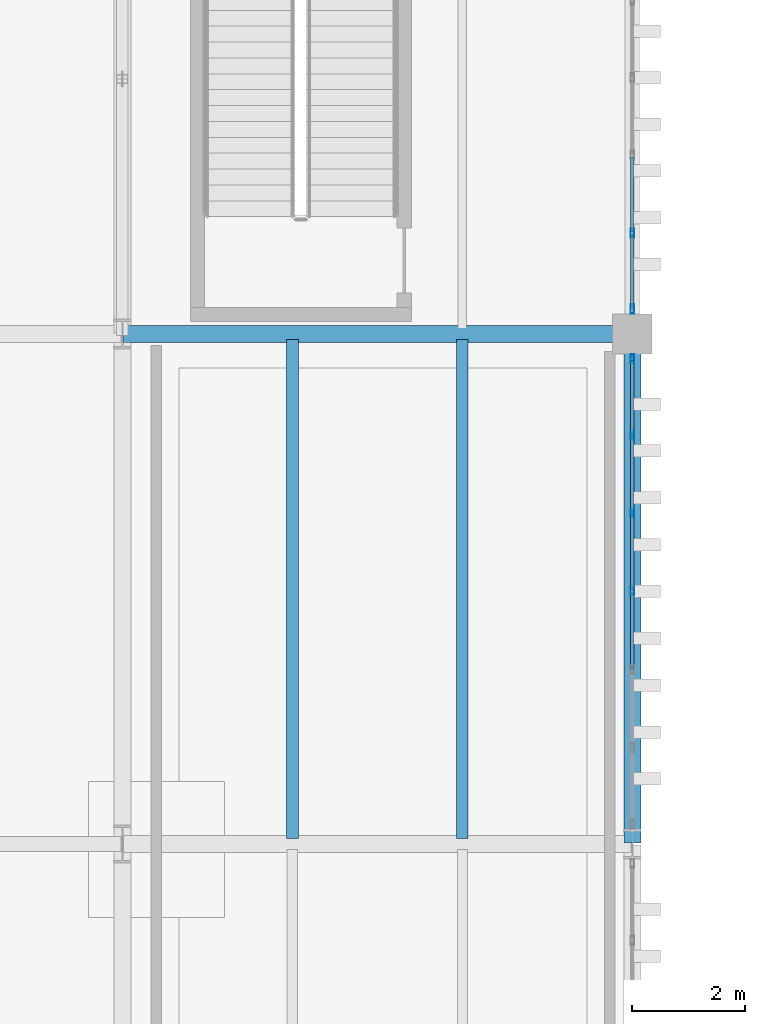
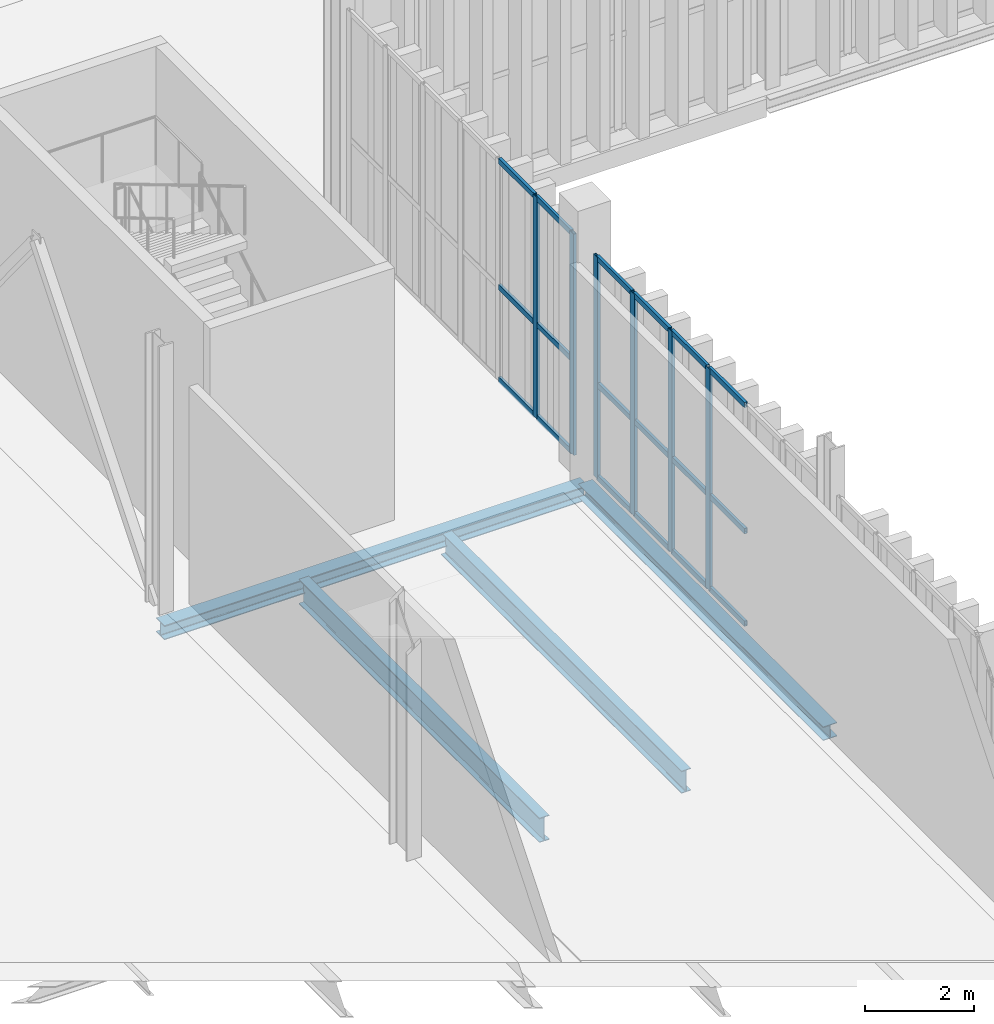
# One storey, part 109 of 211: 24 members, 4 beams, 2 elements without a shape of their own.
"""IFC4 building model written with IfcOpenShell, lengths in metres."""

from ifc_helpers import new_model, si_unit, direction, frame, origin, origin_2d, place, context, subcontext, project, spatial, hollow_rectangle, i_section, extrude, material, layer, layer_set, material_profile, profile_set, type_object, element, aggregate, save


model = new_model("IFC4")

# Units and contexts
model_context = context("Model", 3, precision=1e-05, world=origin(), true_north=direction((0.0, 1.0)))
body_context = subcontext(model_context, "Body", "Model", "MODEL_VIEW")
ifc_project = project(units=[si_unit("LENGTHUNIT", "METRE"), si_unit("AREAUNIT", "SQUARE_METRE"), si_unit("VOLUMEUNIT", "CUBIC_METRE"), si_unit("PLANEANGLEUNIT", "RADIAN"), si_unit("MASSUNIT", "GRAM", prefix="KILO")], contexts=[model_context])

# Site, building, storey
site_placement = place(None, origin())
site = spatial("IfcSite", under=ifc_project, at=site_placement, CompositionType="ELEMENT")
building_placement = place(site_placement, origin())
building = spatial("IfcBuilding", under=site, at=building_placement, Name="Barlavento Convention Centre", CompositionType="ELEMENT")
storey_placement = place(building_placement, frame((0.0, 0.0, 6.0)))
storey = spatial("IfcBuildingStorey", under=building, at=storey_placement, Name="L01", CompositionType="ELEMENT", Elevation=6.0)

# Curtain wall, members
ifc_material_1 = material(Name="Powder-coated aluminium and Low-E glass", Category="aluminium")
ifc_layer = layer(ifc_material_1, 0.195068359375)
ifc_layer_set = layer_set([ifc_layer], Name="ARC-CW-PATIO-A")
curtain_wall_type = type_object("IfcCurtainWallType", Name="ARC-CW-PATIO-A", PredefinedType="NOTDEFINED", material=ifc_layer_set)
curtain_wall_1_placement = place(storey_placement, origin())
curtain_wall_1 = element("IfcCurtainWall", 1, at=curtain_wall_1_placement, inside=storey, type_object=curtain_wall_type, Name="L01 unitised curtain wall CW11", PredefinedType="NOTDEFINED")
ifc_material_2 = material(Name="Powder-coated aluminium", Category="aluminium")
ifc_material_profile_1 = material_profile(ifc_material_2, hollow_rectangle(XDim=0.06005859375, YDim=0.159912109375, WallThickness=0.00390625, at=origin_2d()), Name="AL-MULL 60x160x4")
ifc_profile_set_1 = profile_set([ifc_material_profile_1], Name="Powder-coated aluminium")
member_type_1 = type_object("IfcMemberType", Name="ARC-CWM-60X160", PredefinedType="MULLION", material=ifc_profile_set_1)
member_1_placement = place(storey_placement, frame((135.0, 76.4560546875, 0.0), z_axis=(0.0, 0.0, 1.0), x_axis=(-1.0, 0.0, 0.0)))
member_1 = element("IfcMember", 2, at=member_1_placement, type_object=member_type_1, Name="CW11 mullion 4", PredefinedType="MULLION", context=body_context, shape_type="SweptSolid", body=[
    extrude(hollow_rectangle(XDim=0.06005859375, YDim=0.159912109375, WallThickness=0.00390625, at=origin_2d()), origin(), (0.0, 0.0, 1.0), 4.949951171875),
])
member_2_placement = place(storey_placement, frame((135.0, 77.833984375, 0.0), z_axis=(0.0, 0.0, 1.0), x_axis=(-1.0, 0.0, 0.0)))
member_2 = element("IfcMember", 3, at=member_2_placement, type_object=member_type_1, Name="CW11 mullion 5", PredefinedType="MULLION", context=body_context, shape_type="SweptSolid", body=[
    extrude(hollow_rectangle(XDim=0.06005859375, YDim=0.159912109375, WallThickness=0.00390625, at=origin_2d()), origin(), (0.0, 0.0, 1.0), 4.949951171875),
])
member_3_placement = place(storey_placement, frame((135.0, 79.2119140625, 0.0), z_axis=(0.0, 0.0, 1.0), x_axis=(-1.0, 0.0, 0.0)))
member_3 = element("IfcMember", 4, at=member_3_placement, type_object=member_type_1, Name="CW11 mullion 6", PredefinedType="MULLION", context=body_context, shape_type="SweptSolid", body=[
    extrude(hollow_rectangle(XDim=0.06005859375, YDim=0.159912109375, WallThickness=0.00390625, at=origin_2d()), origin(), (0.0, 0.0, 1.0), 4.949951171875),
])
member_4_placement = place(storey_placement, frame((135.0, 80.56005859375, 0.0), z_axis=(0.0, 0.0, 1.0), x_axis=(-1.0, 0.0, 0.0)))
member_4 = element("IfcMember", 5, at=member_4_placement, type_object=member_type_1, Name="CW11 mullion 7", PredefinedType="MULLION", context=body_context, shape_type="SweptSolid", body=[
    extrude(hollow_rectangle(XDim=0.06005859375, YDim=0.159912109375, WallThickness=0.00390625, at=origin_2d()), origin(), (0.0, 0.0, 1.0), 4.949951171875),
])

curtain_wall_2_placement = place(storey_placement, origin())
curtain_wall_2 = element("IfcCurtainWall", 6, at=curtain_wall_2_placement, inside=storey, type_object=curtain_wall_type, Name="L01 unitised curtain wall CW11", PredefinedType="NOTDEFINED")
member_5_placement = place(storey_placement, frame((135.0, 81.43994140625, 0.0), z_axis=(0.0, 0.0, 1.0), x_axis=(-1.0, 0.0, 0.0)))
member_5 = element("IfcMember", 7, at=member_5_placement, type_object=member_type_1, Name="CW11 mullion 1", PredefinedType="MULLION", context=body_context, shape_type="SweptSolid", body=[
    extrude(hollow_rectangle(XDim=0.06005859375, YDim=0.159912109375, WallThickness=0.00390625, at=origin_2d()), origin(), (0.0, 0.0, 1.0), 4.949951171875),
])
member_6_placement = place(storey_placement, frame((135.0, 82.780029296875, 0.0), z_axis=(0.0, 0.0, 1.0), x_axis=(-1.0, 0.0, 0.0)))
member_6 = element("IfcMember", 8, at=member_6_placement, type_object=member_type_1, Name="CW11 mullion 2", PredefinedType="MULLION", context=body_context, shape_type="SweptSolid", body=[
    extrude(hollow_rectangle(XDim=0.06005859375, YDim=0.159912109375, WallThickness=0.00390625, at=origin_2d()), origin(), (0.0, 0.0, 1.0), 4.949951171875),
])

# Member
ifc_material_profile_2 = material_profile(ifc_material_2, hollow_rectangle(XDim=0.06005859375, YDim=0.1201171875, WallThickness=0.00390625, at=origin_2d()), Name="AL-TRAN 60x120x4")
ifc_profile_set_2 = profile_set([ifc_material_profile_2], Name="Powder-coated aluminium")
member_type_2 = type_object("IfcMemberType", Name="ARC-CWT-60X120", PredefinedType="USERDEFINED", material=ifc_profile_set_2)
member_7_placement = place(storey_placement, frame((135.0, 75.10791015625, 0.030029296875), z_axis=(0.0, 1.0, 0.0), x_axis=(-1.0, 0.0, 0.0)))
member_7 = element("IfcMember", 9, at=member_7_placement, type_object=member_type_2, Name="CW11 transom 3.1", ObjectType="TRANSOM", PredefinedType="USERDEFINED", context=body_context, shape_type="SweptSolid", body=[
    extrude(hollow_rectangle(XDim=0.06005859375, YDim=0.1201171875, WallThickness=0.00390625, at=origin_2d()), origin(), (0.0, 0.0, 1.0), 1.318115234375),
])

member_8_placement = place(storey_placement, frame((135.0, 75.10791015625, 2.10009765625), z_axis=(0.0, 1.0, 0.0), x_axis=(-1.0, 0.0, 0.0)))
member_8 = element("IfcMember", 10, at=member_8_placement, type_object=member_type_2, Name="CW11 transom 3.2", ObjectType="TRANSOM", PredefinedType="USERDEFINED", context=body_context, shape_type="SweptSolid", body=[
    extrude(hollow_rectangle(XDim=0.06005859375, YDim=0.1201171875, WallThickness=0.00390625, at=origin_2d()), origin(), (0.0, 0.0, 1.0), 1.318115234375),
])

member_9_placement = place(storey_placement, frame((135.0, 75.10791015625, 4.919921875), z_axis=(0.0, 1.0, 0.0), x_axis=(-1.0, 0.0, 0.0)))
member_9 = element("IfcMember", 11, at=member_9_placement, type_object=member_type_2, Name="CW11 transom 3.3", ObjectType="TRANSOM", PredefinedType="USERDEFINED", context=body_context, shape_type="SweptSolid", body=[
    extrude(hollow_rectangle(XDim=0.06005859375, YDim=0.1201171875, WallThickness=0.00390625, at=origin_2d()), origin(), (0.0, 0.0, 1.0), 1.318115234375),
])

member_10_placement = place(storey_placement, frame((135.0, 76.486083984375, 0.030029296875), z_axis=(0.0, 1.0, 0.0), x_axis=(-1.0, 0.0, 0.0)))
member_10 = element("IfcMember", 12, at=member_10_placement, type_object=member_type_2, Name="CW11 transom 4.1", ObjectType="TRANSOM", PredefinedType="USERDEFINED", context=body_context, shape_type="SweptSolid", body=[
    extrude(hollow_rectangle(XDim=0.06005859375, YDim=0.1201171875, WallThickness=0.00390625, at=origin_2d()), origin(), (0.0, 0.0, 1.0), 1.31787109375),
])

member_11_placement = place(storey_placement, frame((135.0, 76.486083984375, 2.10009765625), z_axis=(0.0, 1.0, 0.0), x_axis=(-1.0, 0.0, 0.0)))
member_11 = element("IfcMember", 13, at=member_11_placement, type_object=member_type_2, Name="CW11 transom 4.2", ObjectType="TRANSOM", PredefinedType="USERDEFINED", context=body_context, shape_type="SweptSolid", body=[
    extrude(hollow_rectangle(XDim=0.06005859375, YDim=0.1201171875, WallThickness=0.00390625, at=origin_2d()), origin(), (0.0, 0.0, 1.0), 1.31787109375),
])

member_12_placement = place(storey_placement, frame((135.0, 76.486083984375, 4.919921875), z_axis=(0.0, 1.0, 0.0), x_axis=(-1.0, 0.0, 0.0)))
member_12 = element("IfcMember", 14, at=member_12_placement, type_object=member_type_2, Name="CW11 transom 4.3", ObjectType="TRANSOM", PredefinedType="USERDEFINED", context=body_context, shape_type="SweptSolid", body=[
    extrude(hollow_rectangle(XDim=0.06005859375, YDim=0.1201171875, WallThickness=0.00390625, at=origin_2d()), origin(), (0.0, 0.0, 1.0), 1.31787109375),
])

member_13_placement = place(storey_placement, frame((135.0, 77.864013671875, 0.030029296875), z_axis=(0.0, 1.0, 0.0), x_axis=(-1.0, 0.0, 0.0)))
member_13 = element("IfcMember", 15, at=member_13_placement, type_object=member_type_2, Name="CW11 transom 5.1", ObjectType="TRANSOM", PredefinedType="USERDEFINED", context=body_context, shape_type="SweptSolid", body=[
    extrude(hollow_rectangle(XDim=0.06005859375, YDim=0.1201171875, WallThickness=0.00390625, at=origin_2d()), origin(), (0.0, 0.0, 1.0), 1.31787109375),
])

member_14_placement = place(storey_placement, frame((135.0, 77.864013671875, 2.10009765625), z_axis=(0.0, 1.0, 0.0), x_axis=(-1.0, 0.0, 0.0)))
member_14 = element("IfcMember", 16, at=member_14_placement, type_object=member_type_2, Name="CW11 transom 5.2", ObjectType="TRANSOM", PredefinedType="USERDEFINED", context=body_context, shape_type="SweptSolid", body=[
    extrude(hollow_rectangle(XDim=0.06005859375, YDim=0.1201171875, WallThickness=0.00390625, at=origin_2d()), origin(), (0.0, 0.0, 1.0), 1.31787109375),
])

member_15_placement = place(storey_placement, frame((135.0, 77.864013671875, 4.919921875), z_axis=(0.0, 1.0, 0.0), x_axis=(-1.0, 0.0, 0.0)))
member_15 = element("IfcMember", 17, at=member_15_placement, type_object=member_type_2, Name="CW11 transom 5.3", ObjectType="TRANSOM", PredefinedType="USERDEFINED", context=body_context, shape_type="SweptSolid", body=[
    extrude(hollow_rectangle(XDim=0.06005859375, YDim=0.1201171875, WallThickness=0.00390625, at=origin_2d()), origin(), (0.0, 0.0, 1.0), 1.31787109375),
])

member_16_placement = place(storey_placement, frame((135.0, 79.241943359375, 0.030029296875), z_axis=(0.0, 1.0, 0.0), x_axis=(-1.0, 0.0, 0.0)))
member_16 = element("IfcMember", 18, at=member_16_placement, type_object=member_type_2, Name="CW11 transom 6.1", ObjectType="TRANSOM", PredefinedType="USERDEFINED", context=body_context, shape_type="SweptSolid", body=[
    extrude(hollow_rectangle(XDim=0.06005859375, YDim=0.1201171875, WallThickness=0.00390625, at=origin_2d()), origin(), (0.0, 0.0, 1.0), 1.2880859375),
])

member_17_placement = place(storey_placement, frame((135.0, 79.241943359375, 2.10009765625), z_axis=(0.0, 1.0, 0.0), x_axis=(-1.0, 0.0, 0.0)))
member_17 = element("IfcMember", 19, at=member_17_placement, type_object=member_type_2, Name="CW11 transom 6.2", ObjectType="TRANSOM", PredefinedType="USERDEFINED", context=body_context, shape_type="SweptSolid", body=[
    extrude(hollow_rectangle(XDim=0.06005859375, YDim=0.1201171875, WallThickness=0.00390625, at=origin_2d()), origin(), (0.0, 0.0, 1.0), 1.2880859375),
])

member_18_placement = place(storey_placement, frame((135.0, 79.241943359375, 4.919921875), z_axis=(0.0, 1.0, 0.0), x_axis=(-1.0, 0.0, 0.0)))
member_18 = element("IfcMember", 20, at=member_18_placement, type_object=member_type_2, Name="CW11 transom 6.3", ObjectType="TRANSOM", PredefinedType="USERDEFINED", context=body_context, shape_type="SweptSolid", body=[
    extrude(hollow_rectangle(XDim=0.06005859375, YDim=0.1201171875, WallThickness=0.00390625, at=origin_2d()), origin(), (0.0, 0.0, 1.0), 1.2880859375),
])

aggregate(curtain_wall_1, [member_1, member_2, member_3, member_4, member_7, member_8, member_9, member_10, member_11, member_12, member_13, member_14, member_15, member_16, member_17, member_18])

member_19_placement = place(storey_placement, frame((135.0, 81.469970703125, 0.030029296875), z_axis=(0.0, 1.0, 0.0), x_axis=(-1.0, 0.0, 0.0)))
member_19 = element("IfcMember", 21, at=member_19_placement, type_object=member_type_2, Name="CW11 transom 1.1", ObjectType="TRANSOM", PredefinedType="USERDEFINED", context=body_context, shape_type="SweptSolid", body=[
    extrude(hollow_rectangle(XDim=0.06005859375, YDim=0.1201171875, WallThickness=0.00390625, at=origin_2d()), origin(), (0.0, 0.0, 1.0), 1.280029296875),
])

member_20_placement = place(storey_placement, frame((135.0, 81.469970703125, 2.10009765625), z_axis=(0.0, 1.0, 0.0), x_axis=(-1.0, 0.0, 0.0)))
member_20 = element("IfcMember", 22, at=member_20_placement, type_object=member_type_2, Name="CW11 transom 1.2", ObjectType="TRANSOM", PredefinedType="USERDEFINED", context=body_context, shape_type="SweptSolid", body=[
    extrude(hollow_rectangle(XDim=0.06005859375, YDim=0.1201171875, WallThickness=0.00390625, at=origin_2d()), origin(), (0.0, 0.0, 1.0), 1.280029296875),
])

member_21_placement = place(storey_placement, frame((135.0, 81.469970703125, 4.919921875), z_axis=(0.0, 1.0, 0.0), x_axis=(-1.0, 0.0, 0.0)))
member_21 = element("IfcMember", 23, at=member_21_placement, type_object=member_type_2, Name="CW11 transom 1.3", ObjectType="TRANSOM", PredefinedType="USERDEFINED", context=body_context, shape_type="SweptSolid", body=[
    extrude(hollow_rectangle(XDim=0.06005859375, YDim=0.1201171875, WallThickness=0.00390625, at=origin_2d()), origin(), (0.0, 0.0, 1.0), 1.280029296875),
])

member_22_placement = place(storey_placement, frame((135.0, 82.81005859375, 0.030029296875), z_axis=(0.0, 1.0, 0.0), x_axis=(-1.0, 0.0, 0.0)))
member_22 = element("IfcMember", 24, at=member_22_placement, type_object=member_type_2, Name="CW11 transom 2.1", ObjectType="TRANSOM", PredefinedType="USERDEFINED", context=body_context, shape_type="SweptSolid", body=[
    extrude(hollow_rectangle(XDim=0.06005859375, YDim=0.1201171875, WallThickness=0.00390625, at=origin_2d()), origin(), (0.0, 0.0, 1.0), 1.31005859375),
])

member_23_placement = place(storey_placement, frame((135.0, 82.81005859375, 2.10009765625), z_axis=(0.0, 1.0, 0.0), x_axis=(-1.0, 0.0, 0.0)))
member_23 = element("IfcMember", 25, at=member_23_placement, type_object=member_type_2, Name="CW11 transom 2.2", ObjectType="TRANSOM", PredefinedType="USERDEFINED", context=body_context, shape_type="SweptSolid", body=[
    extrude(hollow_rectangle(XDim=0.06005859375, YDim=0.1201171875, WallThickness=0.00390625, at=origin_2d()), origin(), (0.0, 0.0, 1.0), 1.31005859375),
])

member_24_placement = place(storey_placement, frame((135.0, 82.81005859375, 4.919921875), z_axis=(0.0, 1.0, 0.0), x_axis=(-1.0, 0.0, 0.0)))
member_24 = element("IfcMember", 26, at=member_24_placement, type_object=member_type_2, Name="CW11 transom 2.3", ObjectType="TRANSOM", PredefinedType="USERDEFINED", context=body_context, shape_type="SweptSolid", body=[
    extrude(hollow_rectangle(XDim=0.06005859375, YDim=0.1201171875, WallThickness=0.00390625, at=origin_2d()), origin(), (0.0, 0.0, 1.0), 1.31005859375),
])

aggregate(curtain_wall_2, [member_5, member_6, member_19, member_20, member_21, member_22, member_23, member_24])

# Beams
ifc_material_3 = material(Name="Steel S355", Category="steel")
ifc_material_profile_3 = material_profile(ifc_material_3, i_section(OverallWidth=0.199951171875, OverallDepth=0.5, WebThickness=0.01025390625, FlangeThickness=0.01611328125, FilletRadius=0.02099609375, at=origin_2d()), Name="IPE 500")
ifc_profile_set_3 = profile_set([ifc_material_profile_3], Name="Steel S355")
beam_type_1 = type_object("IfcBeamType", Name="STR-BM-JST-IPE500", PredefinedType="JOIST", material=ifc_profile_set_3)
beam_1_placement = place(storey_placement, frame((132.0, 72.094970703125, -0.610107421875), z_axis=(0.0, 1.0, 0.0), x_axis=(-1.0, 0.0, 0.0)))
element("IfcBeam", 27, at=beam_1_placement, inside=storey, type_object=beam_type_1, Name="L01 composite floor joist SJ02", PredefinedType="JOIST", context=body_context, shape_type="SweptSolid", body=[
    extrude(i_section(OverallWidth=0.199951171875, OverallDepth=0.5, WebThickness=0.01025390625, FlangeThickness=0.01611328125, FilletRadius=0.02099609375, at=origin_2d()), origin(), (0.0, 0.0, 1.0), 8.81005859375),
])
ifc_material_profile_4 = material_profile(ifc_material_3, i_section(OverallWidth=0.2099609375, OverallDepth=0.550048828125, WebThickness=0.010986328125, FlangeThickness=0.01708984375, FilletRadius=0.02392578125, at=origin_2d()), Name="IPE 550")
ifc_profile_set_4 = profile_set([ifc_material_profile_4], Name="Steel S355")
beam_type_2 = type_object("IfcBeamType", Name="STR-BM-JST-IPE550", PredefinedType="JOIST", material=ifc_profile_set_4)
beam_2_placement = place(storey_placement, frame((129.0, 72.094970703125, -0.635009765625), z_axis=(0.0, 1.0, 0.0), x_axis=(-1.0, 0.0, 0.0)))
element("IfcBeam", 28, at=beam_2_placement, inside=storey, type_object=beam_type_2, Name="L01 composite floor joist SJ01", PredefinedType="JOIST", context=body_context, shape_type="SweptSolid", body=[
    extrude(i_section(OverallWidth=0.2099609375, OverallDepth=0.550048828125, WebThickness=0.010986328125, FlangeThickness=0.01708984375, FilletRadius=0.02392578125, at=origin_2d()), origin(), (0.0, 0.0, 1.0), 8.81005859375),
])
ifc_material_profile_5 = material_profile(ifc_material_3, i_section(OverallWidth=0.300048828125, OverallDepth=0.320068359375, WebThickness=0.011474609375, FlangeThickness=0.0205078125, FilletRadius=0.027099609375, at=origin_2d()), Name="HEB 320")
ifc_profile_set_5 = profile_set([ifc_material_profile_5], Name="Steel S355")
beam_type_3 = type_object("IfcBeamType", Name="STR-BM-PRI-HEB320", PredefinedType="BEAM", material=ifc_profile_set_5)
beam_3_placement = place(storey_placement, frame((126.02001953125, 81.0, -0.52001953125), z_axis=(1.0, 0.0, 0.0), x_axis=(0.0, 1.0, 0.0)))
element("IfcBeam", 29, at=beam_3_placement, inside=storey, type_object=beam_type_3, Name="L01 primary girder BG13", PredefinedType="BEAM", context=body_context, shape_type="SweptSolid", body=[
    extrude(i_section(OverallWidth=0.300048828125, OverallDepth=0.320068359375, WebThickness=0.011474609375, FlangeThickness=0.0205078125, FilletRadius=0.027099609375, at=origin_2d()), origin(), (0.0, 0.0, 1.0), 8.9599609375),
])
ifc_material_profile_6 = material_profile(ifc_material_3, i_section(OverallWidth=0.300048828125, OverallDepth=0.31005859375, WebThickness=0.009033203125, FlangeThickness=0.015380859375, FilletRadius=0.027099609375, at=origin_2d()), Name="HEA 320")
ifc_profile_set_6 = profile_set([ifc_material_profile_6], Name="Steel S355")
beam_type_4 = type_object("IfcBeamType", Name="STR-BM-SPN-HEA320", PredefinedType="SPANDREL", material=ifc_profile_set_6)
beam_4_placement = place(storey_placement, frame((135.0, 72.02001953125, -0.514892578125), z_axis=(0.0, 1.0, 0.0), x_axis=(-1.0, 0.0, 0.0)))
element("IfcBeam", 30, at=beam_4_placement, inside=storey, type_object=beam_type_4, Name="L01 grid girder SP01", PredefinedType="SPANDREL", context=body_context, shape_type="SweptSolid", body=[
    extrude(i_section(OverallWidth=0.300048828125, OverallDepth=0.31005859375, WebThickness=0.009033203125, FlangeThickness=0.015380859375, FilletRadius=0.027099609375, at=origin_2d()), origin(), (0.0, 0.0, 1.0), 8.9599609375),
])

save(model, "model.ifc")
